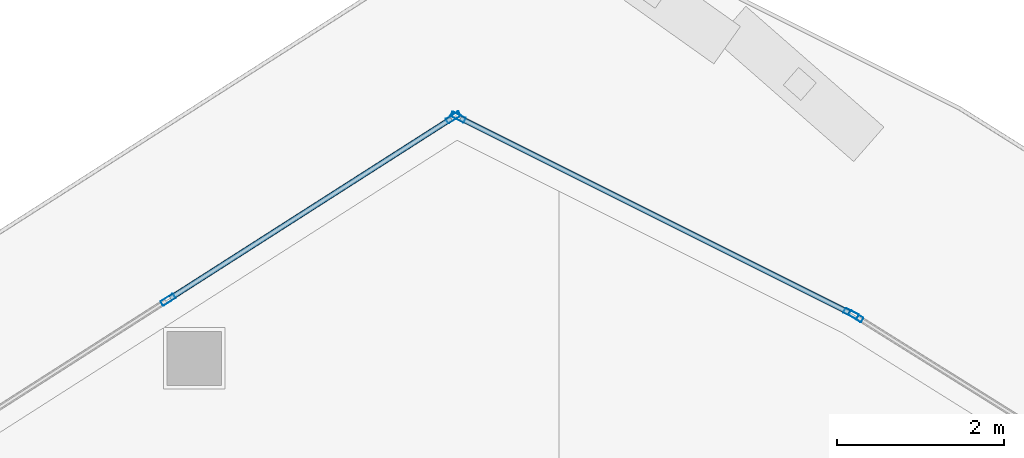
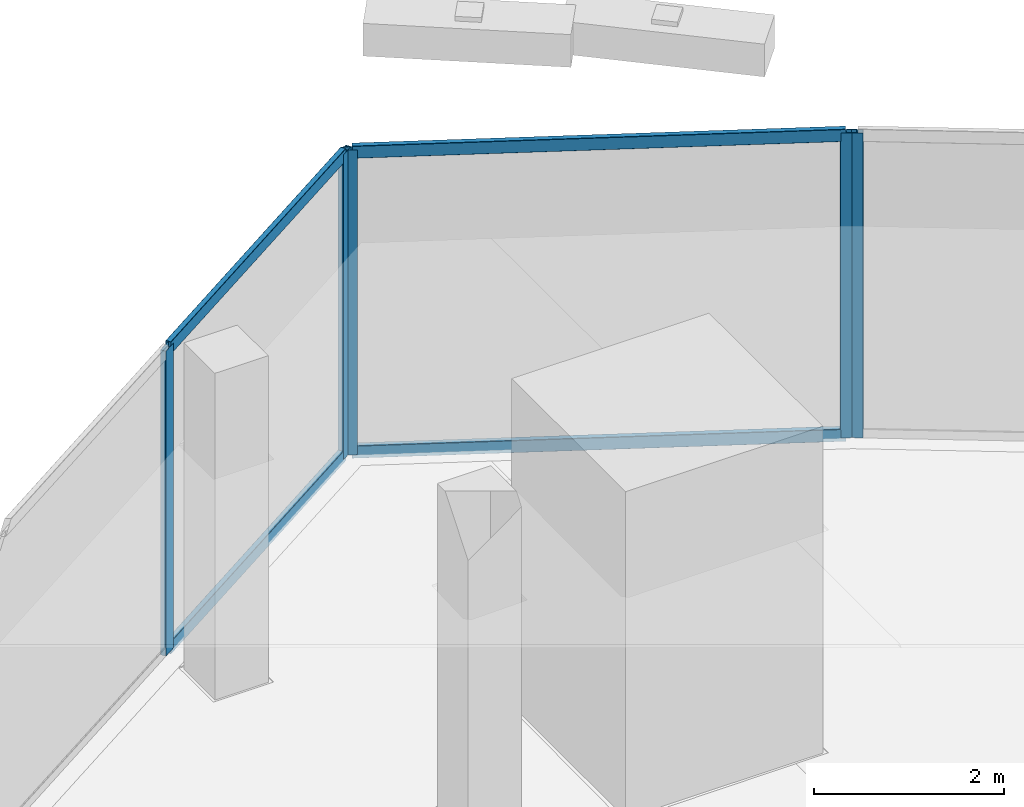
# One storey, part 26 of 44: 9 members, 3 elements without a shape of their own.
"""IFC4 building model written with IfcOpenShell, lengths in metres."""

from ifc_helpers import new_model, si_unit, direction, frame, origin, origin_2d, place, context, subcontext, project, spatial, hollow_rectangle, extrude, material, layer, layer_set, material_profile, profile_set, type_object, element, aggregate, save


model = new_model("IFC4")

# Units and contexts
model_context = context("Model", 3, precision=1e-05, world=origin(), true_north=direction((0.0, 1.0)))
body_context = subcontext(model_context, "Body", "Model", "MODEL_VIEW")
ifc_project = project(units=[si_unit("LENGTHUNIT", "METRE"), si_unit("AREAUNIT", "SQUARE_METRE"), si_unit("VOLUMEUNIT", "CUBIC_METRE"), si_unit("PLANEANGLEUNIT", "RADIAN"), si_unit("MASSUNIT", "GRAM", prefix="KILO")], contexts=[model_context])

# Site, building, storey
site_placement = place(None, origin())
site = spatial("IfcSite", under=ifc_project, at=site_placement, CompositionType="ELEMENT")
building_placement = place(site_placement, origin())
building = spatial("IfcBuilding", under=site, at=building_placement, Name="Qorvath Tower", CompositionType="ELEMENT")
storey_placement = place(building_placement, frame((0.0, 0.0, 40.800048828125)))
storey = spatial("IfcBuildingStorey", under=building, at=storey_placement, Name="L08", CompositionType="ELEMENT", Elevation=40.800048828125)

# Curtain wall, member
ifc_material_1 = material(Name="Anodised aluminium and triple low-E glass", Category="aluminium")
ifc_layer = layer(ifc_material_1, 0.179931640625)
ifc_layer_set = layer_set([ifc_layer], Name="CW-SYS-2")
curtain_wall_type = type_object("IfcCurtainWallType", Name="CW-SYS-2", PredefinedType="NOTDEFINED", material=ifc_layer_set)
curtain_wall_1_placement = place(storey_placement, origin())
curtain_wall_1 = element("IfcCurtainWall", 1, at=curtain_wall_1_placement, inside=storey, type_object=curtain_wall_type, Name="Curtain Wall CW-2 CW-T-L08-14.1", PredefinedType="NOTDEFINED")
ifc_material_2 = material(Name="Anodised aluminium 6063-T6", Category="aluminium")
ifc_material_profile_1 = material_profile(ifc_material_2, hollow_rectangle(XDim=0.06494140625, YDim=0.179931640625, WallThickness=0.00341796875, InnerFilletRadius=0.00341796875, OuterFilletRadius=0.007080078125, at=origin_2d()), Name="CWM 180x65")
ifc_profile_set_1 = profile_set([ifc_material_profile_1], Name="Anodised aluminium 6063-T6")
member_type_1 = type_object("IfcMemberType", Name="CWM-180", PredefinedType="MULLION", material=ifc_profile_set_1)
member_1_placement = place(storey_placement, frame((-10.06396484375, 31.00439453125, 0.0), z_axis=(0.0, 0.0, 1.0), x_axis=(-0.529724040691, -0.848170054125, 0.0)))
member_1 = element("IfcMember", 2, at=member_1_placement, type_object=member_type_1, Name="CW-2 mullion 3", PredefinedType="MULLION", context=body_context, shape_type="SweptSolid", body=[
    extrude(hollow_rectangle(XDim=0.06494140625, YDim=0.179931640625, WallThickness=0.00341796875, InnerFilletRadius=0.00341796875, OuterFilletRadius=0.007080078125, at=origin_2d()), origin(), (0.0, 0.0, 1.0), 3.919921875),
])
aggregate(curtain_wall_1, [member_1])

# Curtain wall, members
curtain_wall_2_placement = place(storey_placement, origin())
curtain_wall_2 = element("IfcCurtainWall", 3, at=curtain_wall_2_placement, inside=storey, type_object=curtain_wall_type, Name="Curtain Wall CW-2 CW-T-L08-15.1", PredefinedType="NOTDEFINED")
member_2_placement = place(storey_placement, frame((-10.12060546875, 31.0361328125, 0.0), z_axis=(0.0, 0.0, 1.0), x_axis=(-0.447258573792, -0.89440470044, 0.0)))
member_2 = element("IfcMember", 4, at=member_2_placement, type_object=member_type_1, Name="CW-2 mullion 1", PredefinedType="MULLION", context=body_context, shape_type="SweptSolid", body=[
    extrude(hollow_rectangle(XDim=0.06494140625, YDim=0.179931640625, WallThickness=0.00341796875, InnerFilletRadius=0.00341796875, OuterFilletRadius=0.007080078125, at=origin_2d()), origin(), (0.0, 0.0, 1.0), 3.919921875),
])
member_3_placement = place(storey_placement, frame((-14.8349609375, 33.3935546875, 0.0), z_axis=(0.0, 0.0, 1.0), x_axis=(-0.447258573792, -0.89440470044, 0.0)))
member_3 = element("IfcMember", 5, at=member_3_placement, type_object=member_type_1, Name="CW-2 mullion 2", PredefinedType="MULLION", context=body_context, shape_type="SweptSolid", body=[
    extrude(hollow_rectangle(XDim=0.06494140625, YDim=0.179931640625, WallThickness=0.00341796875, InnerFilletRadius=0.00341796875, OuterFilletRadius=0.007080078125, at=origin_2d()), origin(), (0.0, 0.0, 1.0), 3.919921875),
])

curtain_wall_3_placement = place(storey_placement, origin())
curtain_wall_3 = element("IfcCurtainWall", 6, at=curtain_wall_3_placement, inside=storey, type_object=curtain_wall_type, Name="Curtain Wall CW-2 CW-T-L08-16.1", PredefinedType="NOTDEFINED")
member_4_placement = place(storey_placement, frame((-14.891357421875, 33.390380859375, 0.0), z_axis=(0.0, 0.0, 1.0), x_axis=(0.538532896531, -0.842604485719, 0.0)))
member_4 = element("IfcMember", 7, at=member_4_placement, type_object=member_type_1, Name="CW-2 mullion 1", PredefinedType="MULLION", context=body_context, shape_type="SweptSolid", body=[
    extrude(hollow_rectangle(XDim=0.06494140625, YDim=0.179931640625, WallThickness=0.00341796875, InnerFilletRadius=0.00341796875, OuterFilletRadius=0.007080078125, at=origin_2d()), origin(), (0.0, 0.0, 1.0), 3.919921875),
])
member_5_placement = place(storey_placement, frame((-18.3125, 31.203857421875, 0.0), z_axis=(0.0, 0.0, 1.0), x_axis=(0.538532896531, -0.842604485719, 0.0)))
member_5 = element("IfcMember", 8, at=member_5_placement, type_object=member_type_1, Name="CW-2 mullion 2", PredefinedType="MULLION", context=body_context, shape_type="SweptSolid", body=[
    extrude(hollow_rectangle(XDim=0.06494140625, YDim=0.179931640625, WallThickness=0.00341796875, InnerFilletRadius=0.00341796875, OuterFilletRadius=0.007080078125, at=origin_2d()), origin(), (0.0, 0.0, 1.0), 3.919921875),
])

# Member
ifc_material_3 = material(Name="Anodised aluminium 6063-T6", Category="aluminium")
ifc_material_profile_2 = material_profile(ifc_material_3, hollow_rectangle(XDim=0.06494140625, YDim=0.159912109375, WallThickness=0.00341796875, InnerFilletRadius=0.00341796875, OuterFilletRadius=0.007080078125, at=origin_2d()), Name="CWT 160x65")
ifc_profile_set_2 = profile_set([ifc_material_profile_2], Name="Anodised aluminium 6063-T6")
member_type_2 = type_object("IfcMemberType", Name="CWT-160", PredefinedType="USERDEFINED", material=ifc_profile_set_2)
member_6_placement = place(storey_placement, frame((-10.149658203125, 31.050537109375, 0.032470703125), z_axis=(-0.894408431647, 0.447251112239, 0.0), x_axis=(-0.447251112239, -0.894408431647, 0.0)))
member_6 = element("IfcMember", 9, at=member_6_placement, type_object=member_type_2, Name="CW-2 transom 1.1", ObjectType="TRANSOM", PredefinedType="USERDEFINED", context=body_context, shape_type="SweptSolid", body=[
    extrude(hollow_rectangle(XDim=0.06494140625, YDim=0.159912109375, WallThickness=0.00341796875, InnerFilletRadius=0.00341796875, OuterFilletRadius=0.007080078125, at=origin_2d()), origin(), (0.0, 0.0, 1.0), 5.2060546875),
])

member_7_placement = place(storey_placement, frame((-10.149658203125, 31.050537109375, 3.887451171875), z_axis=(-0.894408431647, 0.447251112239, 0.0), x_axis=(-0.447251112239, -0.894408431647, 0.0)))
member_7 = element("IfcMember", 10, at=member_7_placement, type_object=member_type_2, Name="CW-2 transom 1.2", ObjectType="TRANSOM", PredefinedType="USERDEFINED", context=body_context, shape_type="SweptSolid", body=[
    extrude(hollow_rectangle(XDim=0.06494140625, YDim=0.159912109375, WallThickness=0.00341796875, InnerFilletRadius=0.00341796875, OuterFilletRadius=0.007080078125, at=origin_2d()), origin(), (0.0, 0.0, 1.0), 5.2060546875),
])

aggregate(curtain_wall_2, [member_2, member_3, member_6, member_7])

member_8_placement = place(storey_placement, frame((-14.918701171875, 33.373046875, 0.032470703125), z_axis=(-0.842603063351, -0.538535122004, 0.0), x_axis=(0.538535122004, -0.842603063351, 0.0)))
member_8 = element("IfcMember", 11, at=member_8_placement, type_object=member_type_2, Name="CW-2 transom 1.1", ObjectType="TRANSOM", PredefinedType="USERDEFINED", context=body_context, shape_type="SweptSolid", body=[
    extrude(hollow_rectangle(XDim=0.06494140625, YDim=0.159912109375, WallThickness=0.00341796875, InnerFilletRadius=0.00341796875, OuterFilletRadius=0.007080078125, at=origin_2d()), origin(), (0.0, 0.0, 1.0), 3.995361328125),
])

member_9_placement = place(storey_placement, frame((-14.918701171875, 33.373046875, 3.887451171875), z_axis=(-0.842603063351, -0.538535122004, 0.0), x_axis=(0.538535122004, -0.842603063351, 0.0)))
member_9 = element("IfcMember", 12, at=member_9_placement, type_object=member_type_2, Name="CW-2 transom 1.2", ObjectType="TRANSOM", PredefinedType="USERDEFINED", context=body_context, shape_type="SweptSolid", body=[
    extrude(hollow_rectangle(XDim=0.06494140625, YDim=0.159912109375, WallThickness=0.00341796875, InnerFilletRadius=0.00341796875, OuterFilletRadius=0.007080078125, at=origin_2d()), origin(), (0.0, 0.0, 1.0), 3.995361328125),
])

aggregate(curtain_wall_3, [member_4, member_5, member_8, member_9])

save(model, "model.ifc")
